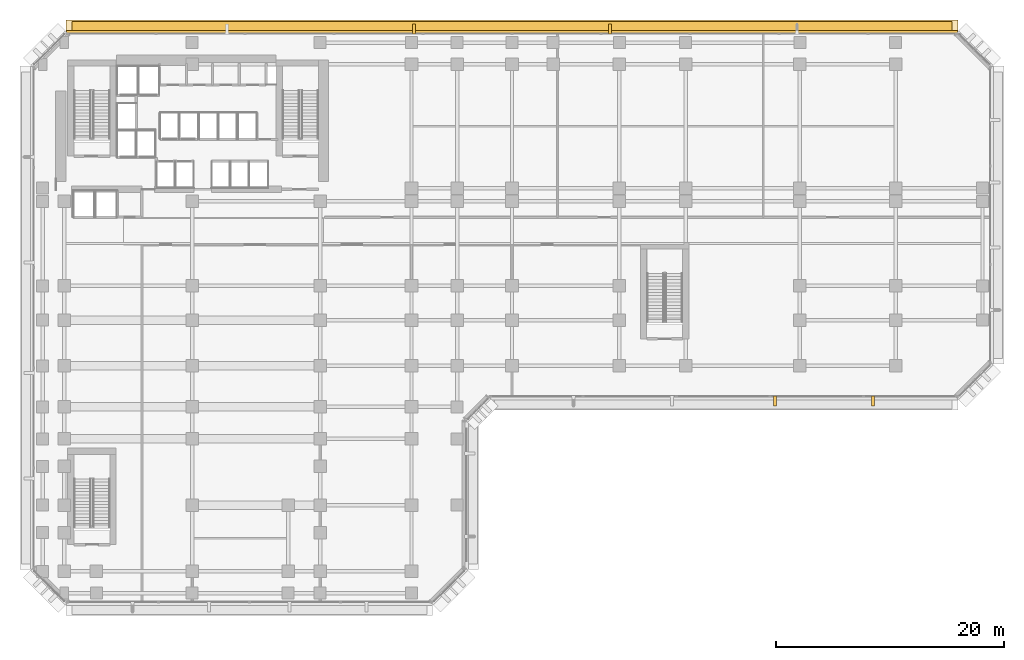
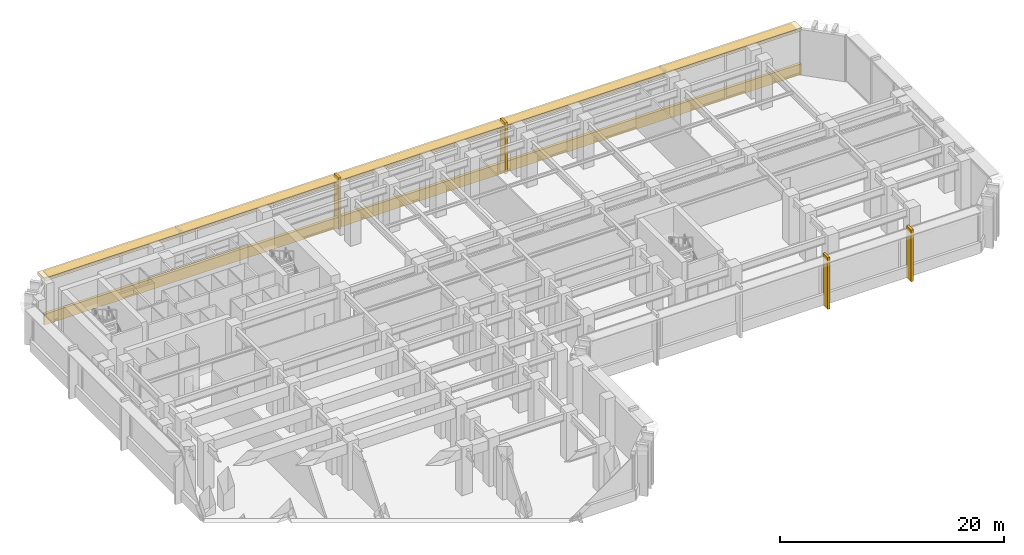
# One storey, part 19 of 20: 6 coverings, 1 shading device.
"""IFC4 building model written with IfcOpenShell, lengths in metres."""

import ifcopenshell
import ifcopenshell.guid

model = None  # the IFC model being written
_history = None  # IfcOwnerHistory: only IFC2X3 demands one
_inside = {}  # id of a spatial element -> (the spatial element, [elements in it])
_under = {}  # id of a project, library or spatial element -> (it, [spatial elements below it])
_declared = {}  # id of a project -> (the project, [libraries it declares])
_typed = {}  # id of a type object -> (the type object, [elements of that type])
_made_of = {}  # id of a material, layer set ... -> (it, [elements and type objects made of it])


def new_model(schema):
    """Start an empty IFC model of exactly this schema.

    Asked for "IFC4X3", IfcOpenShell would pick the latest addendum, in which some entities
    have other attributes; the version numbers below select the first issue.
    IFC2X3 requires an IfcOwnerHistory on every rooted entity: one is made here for all.
    """
    global model, _history
    if schema == "IFC4X3":
        model = ifcopenshell.file(schema_version=(4, 3, 0, 0))
    else:
        model = ifcopenshell.file(schema=schema)
    _inside.clear()
    _under.clear()
    _declared.clear()
    _typed.clear()
    _made_of.clear()
    _history = None
    if model.schema == "IFC2X3":
        org = make("IfcOrganization", Name="unknown")
        user = make(
            "IfcPersonAndOrganization",
            ThePerson=make("IfcPerson", FamilyName="unknown"),
            TheOrganization=org,
        )
        app = make(
            "IfcApplication",
            ApplicationDeveloper=org,
            Version="unknown",
            ApplicationFullName="unknown",
            ApplicationIdentifier="unknown",
        )
        _history = make(
            "IfcOwnerHistory",
            OwningUser=user,
            OwningApplication=app,
            ChangeAction="ADDED",
            CreationDate=0,
        )
    return model


def make(cls, **values):
    """One entity of the class cls with the attributes given. An attribute that is None is left unset."""
    return model.create_entity(
        cls, **{name: value for name, value in values.items() if value is not None}
    )


def rooted(cls, **values):
    """An entity with a GlobalId (a new one), such as an element, a storey or a relation."""
    return make(cls, GlobalId=ifcopenshell.guid.new(), OwnerHistory=_history, **values)


def si_unit(unit_type, name, prefix=None):
    """IfcSIUnit, for example si_unit("LENGTHUNIT", "METRE", prefix="MILLI")."""
    return make("IfcSIUnit", UnitType=unit_type, Prefix=prefix, Name=name)


def assignment(units):
    """IfcUnitAssignment: the units of a project."""
    return None if units is None else make("IfcUnitAssignment", Units=units)


def point(xyz):
    """IfcCartesianPoint."""
    return None if xyz is None else make("IfcCartesianPoint", Coordinates=xyz)


def direction(xyz):
    """IfcDirection."""
    return None if xyz is None else make("IfcDirection", DirectionRatios=xyz)


def frame(location, z_axis=None, x_axis=None):
    """IfcAxis2Placement3D, a coordinate frame: its origin and axes. An axis left out is left unset."""
    return make(
        "IfcAxis2Placement3D",
        Location=point(location),
        Axis=direction(z_axis),
        RefDirection=direction(x_axis),
    )


def frame_2d(location, x_axis=None):
    """IfcAxis2Placement2D, a coordinate frame in the plane: its origin and x axis."""
    return make(
        "IfcAxis2Placement2D", Location=point(location), RefDirection=direction(x_axis)
    )


def origin():
    """The frame at (0, 0, 0) with its axes left unset."""
    return frame((0.0, 0.0, 0.0))


def origin_2d():
    """The frame at (0, 0) in the plane with its x axis left unset."""
    return frame_2d((0.0, 0.0))


def place(relative_to, where):
    """IfcLocalPlacement: puts the frame where relative to a parent placement (None: the world)."""
    return make(
        "IfcLocalPlacement", PlacementRelTo=relative_to, RelativePlacement=where
    )


def context(
    kind, dimensions, precision=None, world=None, true_north=None, identifier=None
):
    """IfcGeometricRepresentationContext, for example the 3D "Model" context."""
    return make(
        "IfcGeometricRepresentationContext",
        ContextIdentifier=identifier,
        ContextType=kind,
        CoordinateSpaceDimension=dimensions,
        Precision=precision,
        WorldCoordinateSystem=world,
        TrueNorth=true_north,
    )


def subcontext(parent, identifier, kind, view, scale=None):
    """IfcGeometricRepresentationSubContext, for example "Body" below "Model"."""
    return make(
        "IfcGeometricRepresentationSubContext",
        ContextIdentifier=identifier,
        ContextType=kind,
        ParentContext=parent,
        TargetScale=scale,
        TargetView=view,
    )


def project(units=None, contexts=None):
    """IfcProject with its units and contexts."""
    return rooted(
        "IfcProject",
        Name="project",
        RepresentationContexts=contexts,
        UnitsInContext=assignment(units),
    )


def spatial(cls, under=None, at=None, **own):
    """A site, building, storey or space (cls), placed at a placement, below another one or the project."""
    s = rooted(cls, ObjectPlacement=at, **own)
    if under is not None:
        _under.setdefault(under.id(), (under, []))[1].append(s)
    return s


def profile(cls, at=None, kind="AREA", **sizes):
    """A parametric profile (cls). Its sizes go by their IFC names, for example OverallWidth=200.0."""
    return make(cls, ProfileType=kind, Position=at, **sizes)


def rectangle(**sizes):
    """IfcRectangleProfileDef."""
    return profile("IfcRectangleProfileDef", **sizes)


def extrude(swept, where, along, depth):
    """IfcExtrudedAreaSolid: the profile swept, set in the frame where, extruded along a direction by depth."""
    return make(
        "IfcExtrudedAreaSolid",
        SweptArea=swept,
        Position=where,
        ExtrudedDirection=direction(along),
        Depth=depth,
    )


def shape(context_of_items, identifier, shape_type, items):
    """IfcShapeRepresentation: the items that make up one representation, for example the "Body"."""
    return make(
        "IfcShapeRepresentation",
        ContextOfItems=context_of_items,
        RepresentationIdentifier=identifier,
        RepresentationType=shape_type,
        Items=items,
    )


def material(Name=None, Category=None):
    """IfcMaterial."""
    return make("IfcMaterial", Name=Name, Category=Category)


def layer(
    of_material, thickness, ventilated=None, Name=None, Category=None, Priority=None
):
    """IfcMaterialLayer: one layer of a wall or slab, of a material (None: an air gap)."""
    return make(
        "IfcMaterialLayer",
        Material=of_material,
        LayerThickness=thickness,
        IsVentilated=ventilated,
        Name=Name,
        Category=Category,
        Priority=Priority,
    )


def layer_set(layers, Name=None):
    """IfcMaterialLayerSet."""
    return make("IfcMaterialLayerSet", MaterialLayers=layers, LayerSetName=Name)


def made_of(thing, what):
    """Note that an element or type object is made of a material, layer set ...; save() writes the relation."""
    if what is not None:
        _made_of.setdefault(what.id(), (what, []))[1].append(thing)
    return thing


def type_object(cls, material=None, **own):
    """A type object (cls), such as IfcWallType, which elements share."""
    return made_of(rooted(cls, **own), material)


def element(
    cls,
    number,
    at=None,
    inside=None,
    cuts=None,
    type_object=None,
    material=None,
    context=None,
    identifier="Body",
    shape_type=None,
    held_by="IfcProductDefinitionShape",
    body=None,
    shapes=None,
    **own,
):
    """One element of the class cls, such as IfcWall. Its Tag is "e" and its number.

    at: its placement. inside: the storey or other place that contains it. cuts: it is an
    opening in that element (IfcRelVoidsElement). A single representation is given by context,
    identifier, shape_type and body (its items); several are given by shapes. held_by: the class
    of the entity that holds the representations. save() writes the other relations.
    """
    e = rooted(cls, Tag="e%d" % number, ObjectPlacement=at, **own)
    if body is not None:
        shapes = [shape(context, identifier, shape_type, body)]
    if shapes is not None:
        e.Representation = make(held_by, Representations=shapes)
    if inside is not None:
        _inside.setdefault(inside.id(), (inside, []))[1].append(e)
    if cuts is not None:
        rooted(
            "IfcRelVoidsElement", RelatingBuildingElement=cuts, RelatedOpeningElement=e
        )
    if type_object is not None:
        _typed.setdefault(type_object.id(), (type_object, []))[1].append(e)
    return made_of(e, material)


def aggregate(whole, parts):
    """IfcRelAggregates: a whole, such as a stair, and the parts it consists of."""
    return rooted("IfcRelAggregates", RelatingObject=whole, RelatedObjects=parts)


def save(model, path):
    """Write the relations noted so far, then the file.

    IfcRelAggregates (storeys below a building ...), IfcRelContainedInSpatialStructure (elements
    in a storey), IfcRelDefinesByType, IfcRelAssociatesMaterial and IfcRelDeclares: one each for
    every whole, place, type object, material and project.
    """
    for whole, parts in _under.values():
        aggregate(whole, parts)
    for where, things in _inside.values():
        rooted(
            "IfcRelContainedInSpatialStructure",
            RelatedElements=things,
            RelatingStructure=where,
        )
    for kind, things in _typed.values():
        rooted("IfcRelDefinesByType", RelatedObjects=things, RelatingType=kind)
    for what, things in _made_of.values():
        rooted("IfcRelAssociatesMaterial", RelatedObjects=things, RelatingMaterial=what)
    for by, libraries in _declared.values():
        rooted("IfcRelDeclares", RelatingContext=by, RelatedDefinitions=libraries)
    model.write(path)


model = new_model("IFC4")

# Units and contexts
model_context = context("Model", 3, precision=1e-05, world=origin(), true_north=direction((0.0, 1.0)))
body_context = subcontext(model_context, "Body", "Model", "MODEL_VIEW")
ifc_project = project(units=[si_unit("LENGTHUNIT", "METRE"), si_unit("AREAUNIT", "SQUARE_METRE"), si_unit("VOLUMEUNIT", "CUBIC_METRE"), si_unit("PLANEANGLEUNIT", "RADIAN"), si_unit("MASSUNIT", "GRAM", prefix="KILO")], contexts=[model_context])

# Site, building, storey
site_placement = place(None, origin())
site = spatial("IfcSite", under=ifc_project, at=site_placement, CompositionType="ELEMENT")
building_placement = place(site_placement, origin())
building = spatial("IfcBuilding", under=site, at=building_placement, Name="Kefirva Bronze Tower", CompositionType="ELEMENT")
storey_placement = place(building_placement, frame((0.0, 0.0, 5.93994140625)))
storey = spatial("IfcBuildingStorey", under=building, at=storey_placement, Name="L01", CompositionType="ELEMENT", Elevation=5.93994140625)

# Covering
ifc_material = material(Name="Bronze anodised aluminium", Category="aluminium")
ifc_layer_1 = layer(ifc_material, 0.02001953125, Name="Bronze anodised aluminium")
ifc_layer_set_1 = layer_set([ifc_layer_1], Name="Bronze anodised aluminium")
covering_type_1 = type_object("IfcCoveringType", Name="Anodised Bronze Spandrel Cladding 20mm", PredefinedType="CLADDING", material=ifc_layer_set_1)
covering_1_placement = place(storey_placement, frame((40.0, 48.0400390625, -0.15966796875), z_axis=(0.0, 0.0, 1.0), x_axis=(-1.0, 0.0, 0.0)))
element("IfcCovering", 1, at=covering_1_placement, inside=storey, type_object=covering_type_1, Name="L01 Streamline Horizontal Spandrel Band 8", PredefinedType="CLADDING", context=body_context, shape_type="SweptSolid", body=[
    extrude(rectangle(XDim=78.0400390625, YDim=0.280029296875, at=origin_2d()), origin(), (0.0, 0.0, 1.0), 1.179931640625),
])

# Shading device
ifc_layer_2 = layer(ifc_material, 0.1201171875, Name="Bronze anodised aluminium")
ifc_layer_set_2 = layer_set([ifc_layer_2], Name="Bronze anodised aluminium")
shading_device_type = type_object("IfcShadingDeviceType", Name="Podium Deep Bronze Canopy Sunshade 1050mm", PredefinedType="JALOUSIE", material=ifc_layer_set_2)
shading_device_placement = place(storey_placement, frame((40.0, 48.445068359375, 4.85498046875), z_axis=(0.0, 0.0, 1.0), x_axis=(-1.0, 0.0, 0.0)))
element("IfcShadingDevice", 2, at=shading_device_placement, inside=storey, type_object=shading_device_type, Name="L01 Horizontal Bronze Sunshade Band 8", PredefinedType="JALOUSIE", context=body_context, shape_type="SweptSolid", body=[
    extrude(rectangle(XDim=77.090087890625, YDim=1.050048828125, at=origin_2d()), origin(), (0.0, 0.0, 1.0), 0.090087890625),
])

# Coverings
ifc_layer_3 = layer(ifc_material, 0.179931640625, Name="Bronze anodised aluminium")
ifc_layer_set_3 = layer_set([ifc_layer_3], Name="Bronze anodised aluminium")
covering_type_2 = type_object("IfcCoveringType", Name="Streamline Bronze Sunshade Eyebrow Cladding 180mm", PredefinedType="CLADDING", material=ifc_layer_set_3)
covering_2_placement = place(storey_placement, frame((40.0, 48.4599609375, 4.64013671875), z_axis=(0.0, 0.0, 1.0), x_axis=(-1.0, 0.0, 0.0)))
element("IfcCovering", 3, at=covering_2_placement, inside=storey, type_object=covering_type_2, Name="L01 Streamline Bronze Sunshade Eyebrow 8", PredefinedType="CLADDING", context=body_context, shape_type="SweptSolid", body=[
    extrude(rectangle(XDim=78.080078125, YDim=1.239990234375, at=origin_2d()), origin(), (0.0, 0.0, 1.0), 0.320068359375),
])
ifc_layer_4 = layer(ifc_material, 0.260009765625, Name="Bronze anodised aluminium")
ifc_layer_set_4 = layer_set([ifc_layer_4], Name="Bronze anodised aluminium")
covering_type_3 = type_object("IfcCoveringType", Name="Unbroken Bronze Buttress Fin Cladding 260mm", PredefinedType="CLADDING", material=ifc_layer_set_4)
for number, where, z_axis, x_axis, name in (
    (4, (63.010009765625, 15.699951171875, -0.320068359375), (0.0, 0.0, 1.0), (1.0, 0.0, 0.0), "L01 Unbroken Vertical Bronze Rib Fin 13"),
    (5, (71.6201171875, 15.699951171875, -0.320068359375), (0.0, 0.0, 1.0), (1.0, 0.0, 0.0), "L01 Unbroken Vertical Bronze Rib Fin 14"),
    (6, (48.580078125, 48.300048828125, -0.320068359375), (0.0, 0.0, 1.0), (-1.0, 0.0, 0.0), "L01 Unbroken Vertical Bronze Rib Fin 24"),
    (7, (31.419921875, 48.300048828125, -0.320068359375), (0.0, 0.0, 1.0), (-1.0, 0.0, 0.0), "L01 Unbroken Vertical Bronze Rib Fin 25"),
):
    element("IfcCovering", number, at=place(storey_placement, frame(where, z_axis=z_axis, x_axis=x_axis)), inside=storey, type_object=covering_type_3, Name=name, PredefinedType="CLADDING", context=body_context, shape_type="SweptSolid", body=[
        extrude(rectangle(XDim=0.260009765625, YDim=0.8798828125, at=origin_2d()), origin(), (0.0, 0.0, 1.0), 5.60009765625),
    ])

save(model, "model.ifc")
